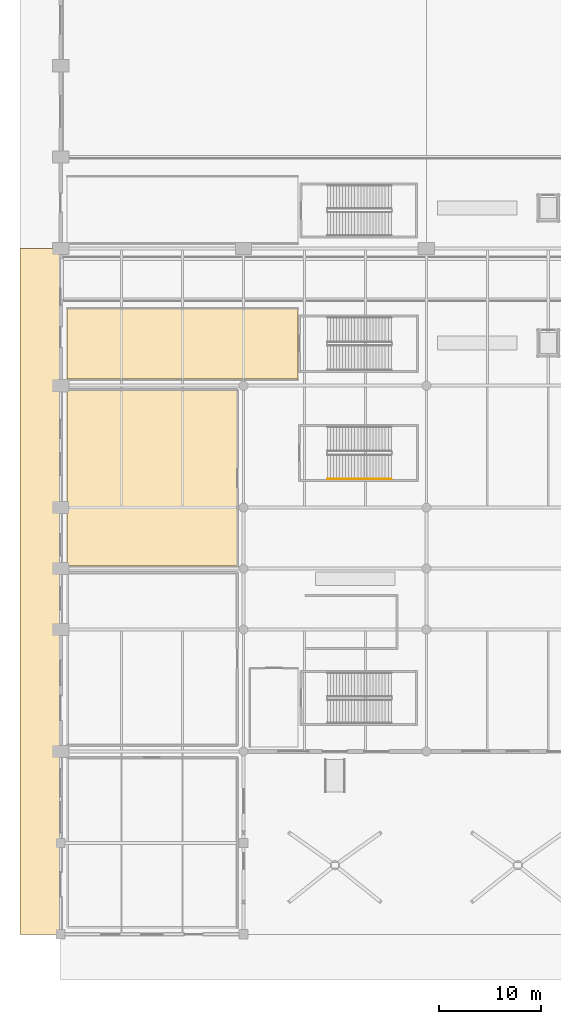
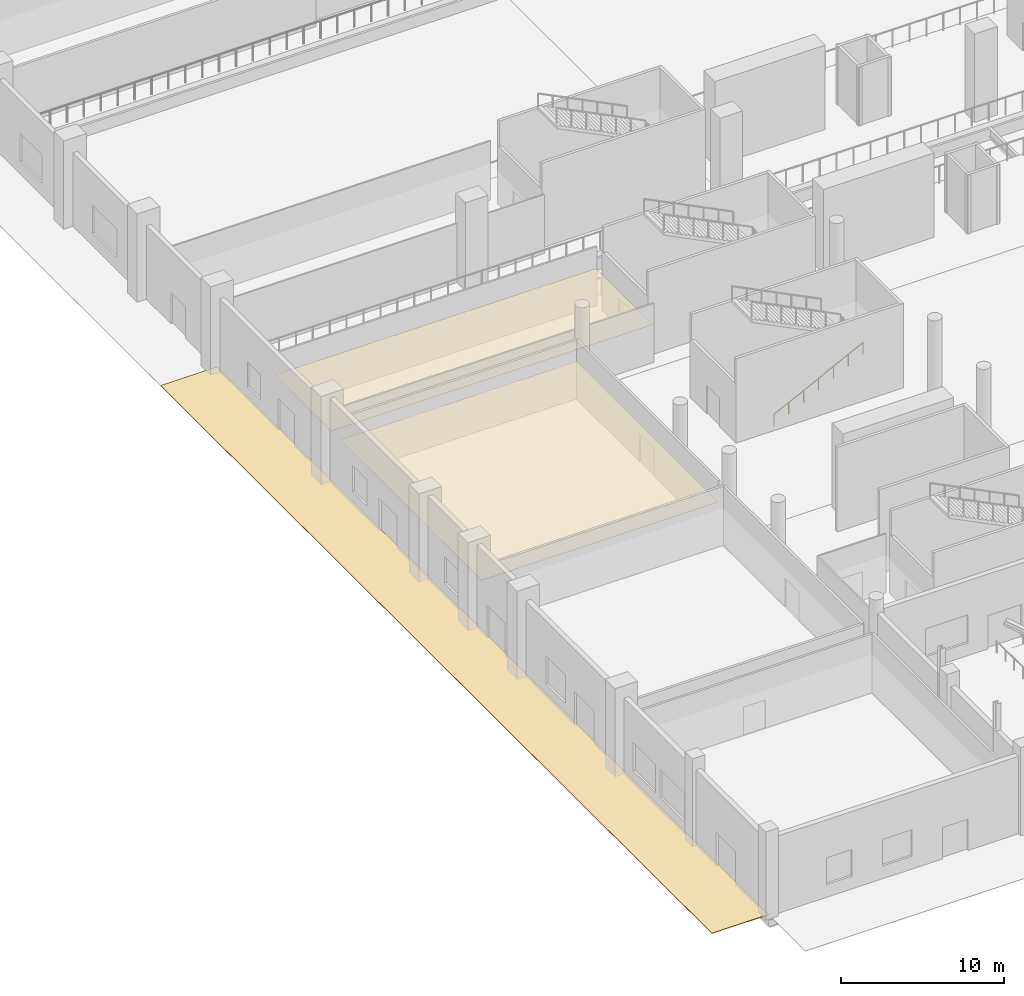
# One storey, part 37 of 65: 3 coverings, 1 railing.
"""IFC4 building model written with IfcOpenShell, lengths in metres."""

from ifc_helpers import new_model, si_unit, direction, frame, origin, origin_2d, place, context, subcontext, project, spatial, polyline, circle, outline, extrude, material, layer, layer_set, type_object, element, save


model = new_model("IFC4")

# Units and contexts
model_context = context("Model", 3, precision=1e-05, world=origin(), true_north=direction((0.0, 1.0)))
body_context = subcontext(model_context, "Body", "Model", "MODEL_VIEW")
ifc_project = project(units=[si_unit("LENGTHUNIT", "METRE"), si_unit("AREAUNIT", "SQUARE_METRE"), si_unit("VOLUMEUNIT", "CUBIC_METRE"), si_unit("PLANEANGLEUNIT", "RADIAN"), si_unit("MASSUNIT", "GRAM", prefix="KILO")], contexts=[model_context])

# Site, building, storey
site_placement = place(None, origin())
site = spatial("IfcSite", under=ifc_project, at=site_placement, CompositionType="ELEMENT")
building_placement = place(site_placement, origin())
building = spatial("IfcBuilding", under=site, at=building_placement, Name="Chuanluo Vaults Station", CompositionType="ELEMENT")
storey_placement = place(building_placement, origin())
storey = spatial("IfcBuildingStorey", under=building, at=storey_placement, Name="L00", CompositionType="ELEMENT", Elevation=0.0)

# Coverings
ifc_material_1 = material(Name="Acoustic mineral-fibre tile")
ifc_layer_1 = layer(ifc_material_1, 0.02490234375)
ifc_layer_set_1 = layer_set([ifc_layer_1], Name="Acoustic mineral-fibre tile")
covering_type_1 = type_object("IfcCoveringType", Name="COV-CEIL-TILE", PredefinedType="CEILING", material=ifc_layer_set_1)
covering_1_placement = place(storey_placement, frame((0.0, 0.0, 2.75)))
element("IfcCovering", 1, at=covering_1_placement, inside=storey, type_object=covering_type_1, Name="L00-03 suspended acoustic ceiling", PredefinedType="CEILING", context=body_context, shape_type="SweptSolid", body=[
    extrude(outline(polyline([(0.639892578125, 36.239990234375), (17.360107421875, 36.239990234375), (17.360107421875, 53.56005859375), (0.639892578125, 53.56005859375), (0.639892578125, 36.239990234375)])), origin(), (0.0, 0.0, 1.0), 0.02490234375),
])
covering_2_placement = place(storey_placement, frame((0.0, 0.0, 2.75)))
element("IfcCovering", 2, at=covering_2_placement, inside=storey, type_object=covering_type_1, Name="L00-EX07 suspended acoustic ceiling", PredefinedType="CEILING", context=body_context, shape_type="SweptSolid", body=[
    extrude(outline(polyline([(0.639892578125, 54.639892578125), (23.360107421875, 54.639892578125), (23.360107421875, 61.56005859375), (0.639892578125, 61.56005859375), (0.639892578125, 54.639892578125)])), origin(), (0.0, 0.0, 1.0), 0.02490234375),
])
ifc_material_2 = material(Name="Granite stone flooring", Category="masonry")
ifc_layer_2 = layer(ifc_material_2, 0.034912109375)
ifc_layer_set_2 = layer_set([ifc_layer_2], Name="Granite stone flooring")
covering_type_2 = type_object("IfcCoveringType", Name="COV-FLOR-GRAN", PredefinedType="FLOORING", material=ifc_layer_set_2)
covering_3_placement = place(storey_placement, frame((0.0, 0.0, -0.0400390625)))
element("IfcCovering", 3, at=covering_3_placement, inside=storey, type_object=covering_type_2, Name="Exterior plaza granite paving WEST1", PredefinedType="FLOORING", context=body_context, shape_type="SweptSolid", body=[
    extrude(outline(polyline([(-4.0, 0.0), (0.0, 0.0), (0.0, 67.5), (-4.0, 67.5), (-4.0, 0.0)])), origin(), (0.0, 0.0, 1.0), 0.0400390625),
])

# Railing
ifc_material_3 = material(Name="Brushed stainless steel 304", Category="steel")
railing_type = type_object("IfcRailingType", Name="RLG-HAND-900", PredefinedType="HANDRAIL", material=ifc_material_3)
railing_placement = place(storey_placement, frame((26.25, 44.800048828125, 0.14990234375)))
element("IfcRailing", 4, at=railing_placement, inside=storey, type_object=railing_type, Name="L00 ST-20 stair handrail 1", PredefinedType="HANDRAIL", context=body_context, shape_type="SweptSolid", body=[
    extrude(circle(Radius=0.02392578125, at=origin_2d()), frame((0.0, 0.0, 0.8759765625), z_axis=(0.894420258746, 0.0, 0.44722745974), x_axis=(0.0, 1.0, 0.0)), (0.0, 0.0, 1.0), 7.043701171875),
    extrude(circle(Radius=0.02099609375, at=origin_2d()), origin(), (0.0, 0.0, 1.0), 0.851806640625),
    extrude(circle(Radius=0.02099609375, at=origin_2d()), frame((1.050048828125, 0.0, 0.52490234375)), (0.0, 0.0, 1.0), 0.851806640625),
    extrude(circle(Radius=0.02099609375, at=origin_2d()), frame((2.10009765625, 0.0, 1.050048828125)), (0.0, 0.0, 1.0), 0.851806640625),
    extrude(circle(Radius=0.02099609375, at=origin_2d()), frame((3.14990234375, 0.0, 1.5751953125)), (0.0, 0.0, 1.0), 0.851806640625),
    extrude(circle(Radius=0.02099609375, at=origin_2d()), frame((4.199951171875, 0.0, 2.10009765625)), (0.0, 0.0, 1.0), 0.851806640625),
    extrude(circle(Radius=0.02099609375, at=origin_2d()), frame((5.25, 0.0, 2.625)), (0.0, 0.0, 1.0), 0.851806640625),
    extrude(circle(Radius=0.02099609375, at=origin_2d()), frame((6.300048828125, 0.0, 3.150146484375)), (0.0, 0.0, 1.0), 0.851806640625),
])

save(model, "model.ifc")
